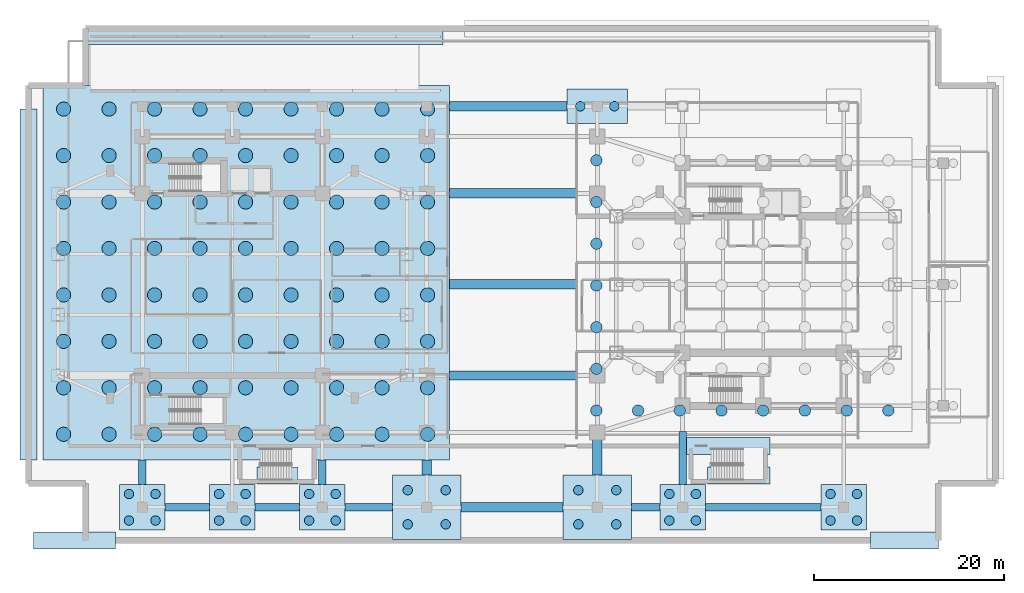
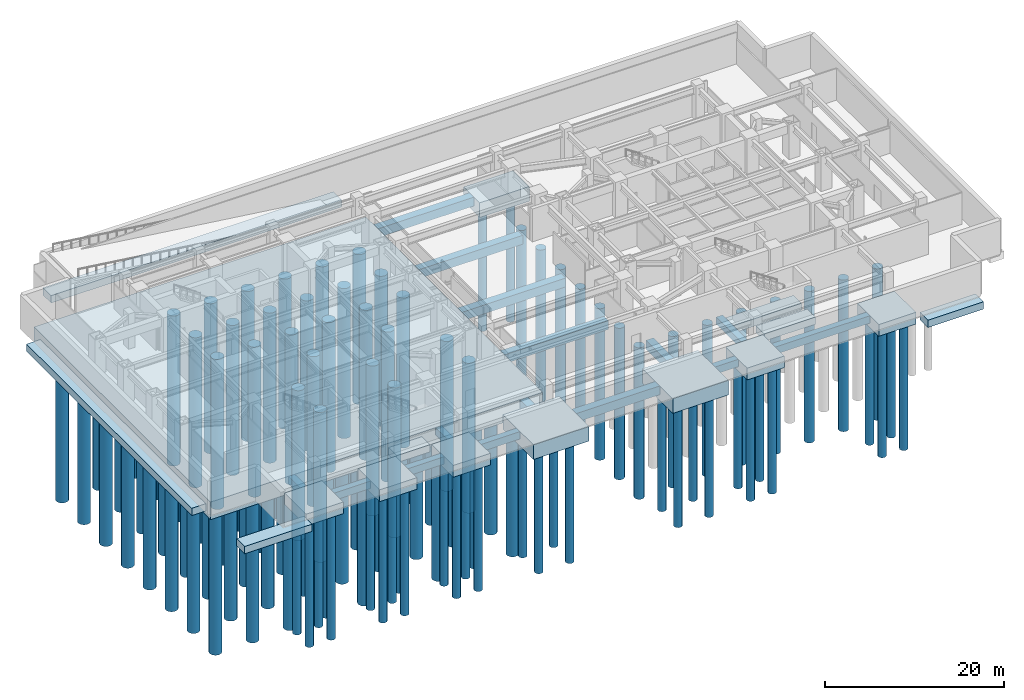
# One storey, part 1 of 16: 116 piles, 31 footings.
"""IFC4 building model written with IfcOpenShell, lengths in metres."""

from ifc_helpers import new_model, si_unit, direction, frame, origin, origin_2d, place, context, subcontext, project, spatial, polyline, circle, outline, extrude, material, material_profile, profile_set, type_object, element, save


model = new_model("IFC4")

# Units and contexts
model_context = context("Model", 3, precision=1e-05, world=origin(), true_north=direction((0.0, 1.0)))
body_context = subcontext(model_context, "Body", "Model", "MODEL_VIEW")
ifc_project = project(units=[si_unit("LENGTHUNIT", "METRE"), si_unit("AREAUNIT", "SQUARE_METRE"), si_unit("VOLUMEUNIT", "CUBIC_METRE"), si_unit("PLANEANGLEUNIT", "RADIAN"), si_unit("MASSUNIT", "GRAM", prefix="KILO")], contexts=[model_context])

# Site, building, storey
site_placement = place(None, origin())
site = spatial("IfcSite", under=ifc_project, at=site_placement, CompositionType="ELEMENT")
building_placement = place(site_placement, origin())
building = spatial("IfcBuilding", under=site, at=building_placement, Name="Mirazonda Arch Towers", CompositionType="ELEMENT")
storey_placement = place(building_placement, frame((0.0, 0.0, -4.800048828125)))
storey = spatial("IfcBuildingStorey", under=building, at=storey_placement, Name="B1", CompositionType="ELEMENT", Elevation=-4.800048828125)

# Footings
ifc_material = material(Name="Concrete C50/60", Category="concrete")
footing_type_1 = type_object("IfcFootingType", Name="FOOT-CAP-ARCH", PredefinedType="PILE_CAP", material=ifc_material)
footing_1_placement = place(storey_placement, frame((0.0, 0.0, -2.39990234375)))
element("IfcFooting", 1, at=footing_1_placement, inside=storey, type_object=footing_type_1, Name="Pile Cap ARCH-S1", PredefinedType="PILE_CAP", context=body_context, shape_type="SweptSolid", body=[
    extrude(outline(polyline([(37.39990234375, 1.10009765625), (44.60009765625, 1.10009765625), (44.60009765625, 7.89990234375), (37.39990234375, 7.89990234375), (37.39990234375, 1.10009765625)])), origin(), (0.0, 0.0, 1.0), 2.0),
])
footing_2_placement = place(storey_placement, frame((0.0, 0.0, -2.39990234375)))
element("IfcFooting", 2, at=footing_2_placement, inside=storey, type_object=footing_type_1, Name="Pile Cap ARCH-S2", PredefinedType="PILE_CAP", context=body_context, shape_type="SweptSolid", body=[
    extrude(outline(polyline([(55.39990234375, 1.10009765625), (62.60009765625, 1.10009765625), (62.60009765625, 7.89990234375), (55.39990234375, 7.89990234375), (55.39990234375, 1.10009765625)])), origin(), (0.0, 0.0, 1.0), 2.0),
])
footing_3_placement = place(storey_placement, frame((0.0, 0.0, -2.39990234375)))
element("IfcFooting", 3, at=footing_3_placement, inside=storey, type_object=footing_type_1, Name="Pile Cap ARCH-N2", PredefinedType="PILE_CAP", context=body_context, shape_type="SweptSolid", body=[
    extrude(outline(polyline([(55.800048828125, 45.0), (62.199951171875, 45.0), (62.199951171875, 48.60009765625), (55.800048828125, 48.60009765625), (55.800048828125, 45.0)])), origin(), (0.0, 0.0, 1.0), 2.0),
])
footing_type_2 = type_object("IfcFootingType", Name="FOOT-CAP-POD-A", PredefinedType="PILE_CAP", material=ifc_material)
footing_4_placement = place(storey_placement, frame((0.0, 0.0, -2.0)))
element("IfcFooting", 4, at=footing_4_placement, inside=storey, type_object=footing_type_2, Name="Pile Cap POD-S1", PredefinedType="PILE_CAP", context=body_context, shape_type="SweptSolid", body=[
    extrude(outline(polyline([(8.60009765625, 2.10009765625), (13.39990234375, 2.10009765625), (13.39990234375, 6.89990234375), (8.60009765625, 6.89990234375), (8.60009765625, 2.10009765625)])), origin(), (0.0, 0.0, 1.0), 1.60009765625),
])
footing_5_placement = place(storey_placement, frame((0.0, 0.0, -2.0)))
element("IfcFooting", 5, at=footing_5_placement, inside=storey, type_object=footing_type_2, Name="Pile Cap POD-S2", PredefinedType="PILE_CAP", context=body_context, shape_type="SweptSolid", body=[
    extrude(outline(polyline([(18.10009765625, 2.10009765625), (22.89990234375, 2.10009765625), (22.89990234375, 6.89990234375), (18.10009765625, 6.89990234375), (18.10009765625, 2.10009765625)])), origin(), (0.0, 0.0, 1.0), 1.60009765625),
])
footing_6_placement = place(storey_placement, frame((0.0, 0.0, -2.0)))
element("IfcFooting", 6, at=footing_6_placement, inside=storey, type_object=footing_type_2, Name="Pile Cap POD-S3", PredefinedType="PILE_CAP", context=body_context, shape_type="SweptSolid", body=[
    extrude(outline(polyline([(27.60009765625, 2.10009765625), (32.39990234375, 2.10009765625), (32.39990234375, 6.89990234375), (27.60009765625, 6.89990234375), (27.60009765625, 2.10009765625)])), origin(), (0.0, 0.0, 1.0), 1.60009765625),
])
footing_7_placement = place(storey_placement, frame((0.0, 0.0, -2.0)))
element("IfcFooting", 7, at=footing_7_placement, inside=storey, type_object=footing_type_2, Name="Pile Cap POD-S4", PredefinedType="PILE_CAP", context=body_context, shape_type="SweptSolid", body=[
    extrude(outline(polyline([(65.60009765625, 2.10009765625), (70.39990234375, 2.10009765625), (70.39990234375, 6.89990234375), (65.60009765625, 6.89990234375), (65.60009765625, 2.10009765625)])), origin(), (0.0, 0.0, 1.0), 1.60009765625),
])
footing_8_placement = place(storey_placement, frame((0.0, 0.0, -2.0)))
element("IfcFooting", 8, at=footing_8_placement, inside=storey, type_object=footing_type_2, Name="Pile Cap POD-S5", PredefinedType="PILE_CAP", context=body_context, shape_type="SweptSolid", body=[
    extrude(outline(polyline([(82.60009765625, 2.10009765625), (87.39990234375, 2.10009765625), (87.39990234375, 6.89990234375), (82.60009765625, 6.89990234375), (82.60009765625, 2.10009765625)])), origin(), (0.0, 0.0, 1.0), 1.60009765625),
])
footing_type_3 = type_object("IfcFootingType", Name="FOOT-RAFT-T1", PredefinedType="PILE_CAP", material=ifc_material)
footing_9_placement = place(storey_placement, frame((0.0, 0.0, -2.800048828125)))
element("IfcFooting", 9, at=footing_9_placement, inside=storey, type_object=footing_type_3, Name="Tower 1 Piled Raft Foundation", PredefinedType="PILE_CAP", context=body_context, shape_type="SweptSolid", body=[
    extrude(outline(polyline([(0.5, 9.5), (43.39990234375, 9.5), (43.39990234375, 49.0), (0.5, 49.0), (0.5, 9.5)])), origin(), (0.0, 0.0, 1.0), 2.400146484375),
])
footing_type_4 = type_object("IfcFootingType", Name="FOOT-STRIP-RET", PredefinedType="STRIP_FOOTING", material=ifc_material)
footing_10_placement = place(storey_placement, frame((0.0, 0.0, -1.39990234375)))
element("IfcFooting", 10, at=footing_10_placement, inside=storey, type_object=footing_type_4, Name="Retaining Wall Strip Footing STF-W1", PredefinedType="STRIP_FOOTING", context=body_context, shape_type="SweptSolid", body=[
    extrude(outline(polyline([(-1.89990234375, 9.5), (-0.10009765625, 9.5), (-0.10009765625, 46.5), (-1.89990234375, 46.5), (-1.89990234375, 9.5)])), origin(), (0.0, 0.0, 1.0), 1.0),
])
footing_11_placement = place(storey_placement, frame((0.0, 0.0, -1.39990234375)))
element("IfcFooting", 11, at=footing_11_placement, inside=storey, type_object=footing_type_4, Name="Retaining Wall Strip Footing STF-S1", PredefinedType="STRIP_FOOTING", context=body_context, shape_type="SweptSolid", body=[
    extrude(outline(polyline([(-0.5, 0.10009765625), (8.199951171875, 0.10009765625), (8.199951171875, 1.89990234375), (-0.5, 1.89990234375), (-0.5, 0.10009765625)])), origin(), (0.0, 0.0, 1.0), 1.0),
])
footing_12_placement = place(storey_placement, frame((0.0, 0.0, -1.39990234375)))
element("IfcFooting", 12, at=footing_12_placement, inside=storey, type_object=footing_type_4, Name="Retaining Wall Strip Footing STF-S2", PredefinedType="STRIP_FOOTING", context=body_context, shape_type="SweptSolid", body=[
    extrude(outline(polyline([(87.800048828125, 0.10009765625), (95.0, 0.10009765625), (95.0, 1.89990234375), (87.800048828125, 1.89990234375), (87.800048828125, 0.10009765625)])), origin(), (0.0, 0.0, 1.0), 1.0),
])
footing_13_placement = place(storey_placement, frame((0.0, 0.0, -1.39990234375)))
element("IfcFooting", 13, at=footing_13_placement, inside=storey, type_object=footing_type_4, Name="Retaining Wall Strip Footing STF-POD1-S", PredefinedType="STRIP_FOOTING", context=body_context, shape_type="SweptSolid", body=[
    extrude(outline(polyline([(23.10009765625, 6.949951171875), (27.39990234375, 6.949951171875), (27.39990234375, 8.75), (23.10009765625, 8.75), (23.10009765625, 6.949951171875)])), origin(), (0.0, 0.0, 1.0), 1.0),
])
footing_14_placement = place(storey_placement, frame((0.0, 0.0, -1.39990234375)))
element("IfcFooting", 14, at=footing_14_placement, inside=storey, type_object=footing_type_4, Name="Retaining Wall Strip Footing STF-POD2-S", PredefinedType="STRIP_FOOTING", context=body_context, shape_type="SweptSolid", body=[
    extrude(outline(polyline([(70.60009765625, 6.949951171875), (77.199951171875, 6.949951171875), (77.199951171875, 8.75), (70.60009765625, 8.75), (70.60009765625, 6.949951171875)])), origin(), (0.0, 0.0, 1.0), 1.0),
])
footing_15_placement = place(storey_placement, frame((0.0, 0.0, -1.39990234375)))
element("IfcFooting", 15, at=footing_15_placement, inside=storey, type_object=footing_type_4, Name="Retaining Wall Strip Footing STF-POD2-N", PredefinedType="STRIP_FOOTING", context=body_context, shape_type="SweptSolid", body=[
    extrude(outline(polyline([(68.39990234375, 10.050048828125), (77.199951171875, 10.050048828125), (77.199951171875, 11.85009765625), (68.39990234375, 11.85009765625), (68.39990234375, 10.050048828125)])), origin(), (0.0, 0.0, 1.0), 1.0),
])
footing_16_placement = place(storey_placement, frame((0.0, 0.0, -1.39990234375)))
element("IfcFooting", 16, at=footing_16_placement, inside=storey, type_object=footing_type_4, Name="Retaining Wall Strip Footing STF-VEHRMP-N", PredefinedType="STRIP_FOOTING", context=body_context, shape_type="SweptSolid", body=[
    extrude(outline(polyline([(5.199951171875, 53.300048828125), (42.699951171875, 53.300048828125), (42.699951171875, 55.10009765625), (5.199951171875, 55.10009765625), (5.199951171875, 53.300048828125)])), origin(), (0.0, 0.0, 1.0), 1.0),
])
footing_type_5 = type_object("IfcFootingType", Name="FOOT-TIE-BEAM-1000", PredefinedType="FOOTING_BEAM", material=ifc_material)
footing_17_placement = place(storey_placement, frame((0.0, 0.0, -1.599853515625)))
element("IfcFooting", 17, at=footing_17_placement, inside=storey, type_object=footing_type_5, Name="Ground Tie Beam TB-SLOT-1", PredefinedType="FOOTING_BEAM", context=body_context, shape_type="SweptSolid", body=[
    extrude(outline(polyline([(43.39990234375, 17.89990234375), (56.800048828125, 17.89990234375), (56.800048828125, 18.89990234375), (43.39990234375, 18.89990234375), (43.39990234375, 17.89990234375)])), origin(), (0.0, 0.0, 1.0), 1.199951171875),
])
footing_18_placement = place(storey_placement, frame((0.0, 0.0, -1.599853515625)))
element("IfcFooting", 18, at=footing_18_placement, inside=storey, type_object=footing_type_5, Name="Ground Tie Beam TB-SLOT-2", PredefinedType="FOOTING_BEAM", context=body_context, shape_type="SweptSolid", body=[
    extrude(outline(polyline([(43.39990234375, 27.5), (56.800048828125, 27.5), (56.800048828125, 28.5), (43.39990234375, 28.5), (43.39990234375, 27.5)])), origin(), (0.0, 0.0, 1.0), 1.199951171875),
])
footing_19_placement = place(storey_placement, frame((0.0, 0.0, -1.599853515625)))
element("IfcFooting", 19, at=footing_19_placement, inside=storey, type_object=footing_type_5, Name="Ground Tie Beam TB-SLOT-3", PredefinedType="FOOTING_BEAM", context=body_context, shape_type="SweptSolid", body=[
    extrude(outline(polyline([(43.39990234375, 37.10009765625), (56.800048828125, 37.10009765625), (56.800048828125, 38.10009765625), (43.39990234375, 38.10009765625), (43.39990234375, 37.10009765625)])), origin(), (0.0, 0.0, 1.0), 1.199951171875),
])
footing_20_placement = place(storey_placement, frame((0.0, 0.0, -1.599853515625)))
element("IfcFooting", 20, at=footing_20_placement, inside=storey, type_object=footing_type_5, Name="Ground Tie Beam TB-S-4", PredefinedType="FOOTING_BEAM", context=body_context, shape_type="SweptSolid", body=[
    extrude(outline(polyline([(44.60009765625, 4.0), (55.39990234375, 4.0), (55.39990234375, 5.0), (44.60009765625, 5.0), (44.60009765625, 4.0)])), origin(), (0.0, 0.0, 1.0), 1.199951171875),
])
footing_21_placement = place(storey_placement, frame((0.0, 0.0, -1.599853515625)))
element("IfcFooting", 21, at=footing_21_placement, inside=storey, type_object=footing_type_5, Name="Ground Tie Beam TB-CS-3", PredefinedType="FOOTING_BEAM", context=body_context, shape_type="SweptSolid", body=[
    extrude(outline(polyline([(40.5, 7.89990234375), (41.5, 7.89990234375), (41.5, 9.5), (40.5, 9.5), (40.5, 7.89990234375)])), origin(), (0.0, 0.0, 1.0), 1.199951171875),
])
footing_22_placement = place(storey_placement, frame((0.0, 0.0, -1.599853515625)))
element("IfcFooting", 22, at=footing_22_placement, inside=storey, type_object=footing_type_5, Name="Ground Tie Beam TB-CS-4", PredefinedType="FOOTING_BEAM", context=body_context, shape_type="SweptSolid", body=[
    extrude(outline(polyline([(58.5, 7.89990234375), (59.5, 7.89990234375), (59.5, 12.5), (58.5, 12.5), (58.5, 7.89990234375)])), origin(), (0.0, 0.0, 1.0), 1.199951171875),
])
footing_23_placement = place(storey_placement, frame((0.0, 0.0, -1.599853515625)))
element("IfcFooting", 23, at=footing_23_placement, inside=storey, type_object=footing_type_5, Name="Ground Tie Beam TB-N-1", PredefinedType="FOOTING_BEAM", context=body_context, shape_type="SweptSolid", body=[
    extrude(outline(polyline([(43.39990234375, 46.300048828125), (55.800048828125, 46.300048828125), (55.800048828125, 47.300048828125), (43.39990234375, 47.300048828125), (43.39990234375, 46.300048828125)])), origin(), (0.0, 0.0, 1.0), 1.199951171875),
])
footing_type_6 = type_object("IfcFootingType", Name="FOOT-TIE-BEAM-800", PredefinedType="FOOTING_BEAM", material=ifc_material)
footing_24_placement = place(storey_placement, frame((0.0, 0.0, -1.39990234375)))
element("IfcFooting", 24, at=footing_24_placement, inside=storey, type_object=footing_type_6, Name="Ground Tie Beam TB-S-1", PredefinedType="FOOTING_BEAM", context=body_context, shape_type="SweptSolid", body=[
    extrude(outline(polyline([(13.39990234375, 4.10009765625), (18.10009765625, 4.10009765625), (18.10009765625, 4.89990234375), (13.39990234375, 4.89990234375), (13.39990234375, 4.10009765625)])), origin(), (0.0, 0.0, 1.0), 1.0),
])
footing_25_placement = place(storey_placement, frame((0.0, 0.0, -1.39990234375)))
element("IfcFooting", 25, at=footing_25_placement, inside=storey, type_object=footing_type_6, Name="Ground Tie Beam TB-S-2", PredefinedType="FOOTING_BEAM", context=body_context, shape_type="SweptSolid", body=[
    extrude(outline(polyline([(22.89990234375, 4.10009765625), (27.60009765625, 4.10009765625), (27.60009765625, 4.89990234375), (22.89990234375, 4.89990234375), (22.89990234375, 4.10009765625)])), origin(), (0.0, 0.0, 1.0), 1.0),
])
footing_26_placement = place(storey_placement, frame((0.0, 0.0, -1.39990234375)))
element("IfcFooting", 26, at=footing_26_placement, inside=storey, type_object=footing_type_6, Name="Ground Tie Beam TB-S-3", PredefinedType="FOOTING_BEAM", context=body_context, shape_type="SweptSolid", body=[
    extrude(outline(polyline([(32.39990234375, 4.10009765625), (37.39990234375, 4.10009765625), (37.39990234375, 4.89990234375), (32.39990234375, 4.89990234375), (32.39990234375, 4.10009765625)])), origin(), (0.0, 0.0, 1.0), 1.0),
])
footing_27_placement = place(storey_placement, frame((0.0, 0.0, -1.39990234375)))
element("IfcFooting", 27, at=footing_27_placement, inside=storey, type_object=footing_type_6, Name="Ground Tie Beam TB-S-5", PredefinedType="FOOTING_BEAM", context=body_context, shape_type="SweptSolid", body=[
    extrude(outline(polyline([(62.60009765625, 4.10009765625), (65.60009765625, 4.10009765625), (65.60009765625, 4.89990234375), (62.60009765625, 4.89990234375), (62.60009765625, 4.10009765625)])), origin(), (0.0, 0.0, 1.0), 1.0),
])
footing_28_placement = place(storey_placement, frame((0.0, 0.0, -1.39990234375)))
element("IfcFooting", 28, at=footing_28_placement, inside=storey, type_object=footing_type_6, Name="Ground Tie Beam TB-S-6", PredefinedType="FOOTING_BEAM", context=body_context, shape_type="SweptSolid", body=[
    extrude(outline(polyline([(70.39990234375, 4.10009765625), (82.60009765625, 4.10009765625), (82.60009765625, 4.89990234375), (70.39990234375, 4.89990234375), (70.39990234375, 4.10009765625)])), origin(), (0.0, 0.0, 1.0), 1.0),
])
footing_29_placement = place(storey_placement, frame((0.0, 0.0, -1.39990234375)))
element("IfcFooting", 29, at=footing_29_placement, inside=storey, type_object=footing_type_6, Name="Ground Tie Beam TB-CS-1", PredefinedType="FOOTING_BEAM", context=body_context, shape_type="SweptSolid", body=[
    extrude(outline(polyline([(10.60009765625, 6.89990234375), (11.39990234375, 6.89990234375), (11.39990234375, 9.5), (10.60009765625, 9.5), (10.60009765625, 6.89990234375)])), origin(), (0.0, 0.0, 1.0), 1.0),
])
footing_30_placement = place(storey_placement, frame((0.0, 0.0, -1.39990234375)))
element("IfcFooting", 30, at=footing_30_placement, inside=storey, type_object=footing_type_6, Name="Ground Tie Beam TB-CS-2", PredefinedType="FOOTING_BEAM", context=body_context, shape_type="SweptSolid", body=[
    extrude(outline(polyline([(29.60009765625, 6.89990234375), (30.39990234375, 6.89990234375), (30.39990234375, 9.5), (29.60009765625, 9.5), (29.60009765625, 6.89990234375)])), origin(), (0.0, 0.0, 1.0), 1.0),
])
footing_31_placement = place(storey_placement, frame((0.0, 0.0, -1.39990234375)))
element("IfcFooting", 31, at=footing_31_placement, inside=storey, type_object=footing_type_6, Name="Ground Tie Beam TB-CS-5", PredefinedType="FOOTING_BEAM", context=body_context, shape_type="SweptSolid", body=[
    extrude(outline(polyline([(67.60009765625, 6.89990234375), (68.39990234375, 6.89990234375), (68.39990234375, 12.5), (67.60009765625, 12.5), (67.60009765625, 6.89990234375)])), origin(), (0.0, 0.0, 1.0), 1.0),
])

# Piles
ifc_material_profile_1 = material_profile(ifc_material, circle(Radius=0.5, at=origin_2d()), Name="BORED-D1000")
ifc_profile_set_1 = profile_set([ifc_material_profile_1], Name="Concrete C50/60")
pile_type_1 = type_object("IfcPileType", Name="PILE-1000", PredefinedType="BORED", material=ifc_profile_set_1)
for number, where, z_axis, x_axis, name in (
    (32, (39.0, 2.699951171875, -2.300048828125), (0.0, 0.0, -1.0), (1.0, 0.0, 0.0), "Rock-Socketed Bored Pile 001"),
    (33, (43.0, 2.699951171875, -2.300048828125), (0.0, 0.0, -1.0), (1.0, 0.0, 0.0), "Rock-Socketed Bored Pile 002"),
    (34, (39.0, 6.300048828125, -2.300048828125), (0.0, 0.0, -1.0), (1.0, 0.0, 0.0), "Rock-Socketed Bored Pile 003"),
    (35, (43.0, 6.300048828125, -2.300048828125), (0.0, 0.0, -1.0), (1.0, 0.0, 0.0), "Rock-Socketed Bored Pile 004"),
    (36, (57.0, 2.699951171875, -2.300048828125), (0.0, 0.0, -1.0), (1.0, 0.0, 0.0), "Rock-Socketed Bored Pile 005"),
    (37, (61.0, 2.699951171875, -2.300048828125), (0.0, 0.0, -1.0), (1.0, 0.0, 0.0), "Rock-Socketed Bored Pile 006"),
    (38, (57.0, 6.300048828125, -2.300048828125), (0.0, 0.0, -1.0), (1.0, 0.0, 0.0), "Rock-Socketed Bored Pile 007"),
    (39, (61.0, 6.300048828125, -2.300048828125), (0.0, 0.0, -1.0), (1.0, 0.0, 0.0), "Rock-Socketed Bored Pile 008"),
    (40, (57.199951171875, 46.800048828125, -2.300048828125), (0.0, 0.0, -1.0), (1.0, 0.0, 0.0), "Rock-Socketed Bored Pile 009"),
    (41, (60.800048828125, 46.800048828125, -2.300048828125), (0.0, 0.0, -1.0), (1.0, 0.0, 0.0), "Rock-Socketed Bored Pile 010"),
):
    element("IfcPile", number, at=place(storey_placement, frame(where, z_axis=z_axis, x_axis=x_axis)), inside=storey, type_object=pile_type_1, Name=name, PredefinedType="BORED", context=body_context, shape_type="SweptSolid", body=[
        extrude(circle(Radius=0.5, at=origin_2d()), origin(), (0.0, 0.0, 1.0), 16.89990234375),
    ])
for number, where, z_axis, x_axis, name in (
    (42, (9.60009765625, 3.10009765625, -1.89990234375), (0.0, 0.0, -1.0), (1.0, 0.0, 0.0), "Rock-Socketed Bored Pile 011"),
    (43, (12.39990234375, 3.10009765625, -1.89990234375), (0.0, 0.0, -1.0), (1.0, 0.0, 0.0), "Rock-Socketed Bored Pile 012"),
    (44, (9.60009765625, 5.89990234375, -1.89990234375), (0.0, 0.0, -1.0), (1.0, 0.0, 0.0), "Rock-Socketed Bored Pile 013"),
    (45, (12.39990234375, 5.89990234375, -1.89990234375), (0.0, 0.0, -1.0), (1.0, 0.0, 0.0), "Rock-Socketed Bored Pile 014"),
    (46, (19.10009765625, 3.10009765625, -1.89990234375), (0.0, 0.0, -1.0), (1.0, 0.0, 0.0), "Rock-Socketed Bored Pile 015"),
    (47, (21.89990234375, 3.10009765625, -1.89990234375), (0.0, 0.0, -1.0), (1.0, 0.0, 0.0), "Rock-Socketed Bored Pile 016"),
    (48, (19.10009765625, 5.89990234375, -1.89990234375), (0.0, 0.0, -1.0), (1.0, 0.0, 0.0), "Rock-Socketed Bored Pile 017"),
    (49, (21.89990234375, 5.89990234375, -1.89990234375), (0.0, 0.0, -1.0), (1.0, 0.0, 0.0), "Rock-Socketed Bored Pile 018"),
    (50, (28.60009765625, 3.10009765625, -1.89990234375), (0.0, 0.0, -1.0), (1.0, 0.0, 0.0), "Rock-Socketed Bored Pile 019"),
    (51, (31.39990234375, 3.10009765625, -1.89990234375), (0.0, 0.0, -1.0), (1.0, 0.0, 0.0), "Rock-Socketed Bored Pile 020"),
    (52, (28.60009765625, 5.89990234375, -1.89990234375), (0.0, 0.0, -1.0), (1.0, 0.0, 0.0), "Rock-Socketed Bored Pile 021"),
    (53, (31.39990234375, 5.89990234375, -1.89990234375), (0.0, 0.0, -1.0), (1.0, 0.0, 0.0), "Rock-Socketed Bored Pile 022"),
    (54, (66.60009765625, 3.10009765625, -1.89990234375), (0.0, 0.0, -1.0), (1.0, 0.0, 0.0), "Rock-Socketed Bored Pile 023"),
    (55, (69.39990234375, 3.10009765625, -1.89990234375), (0.0, 0.0, -1.0), (1.0, 0.0, 0.0), "Rock-Socketed Bored Pile 024"),
    (56, (66.60009765625, 5.89990234375, -1.89990234375), (0.0, 0.0, -1.0), (1.0, 0.0, 0.0), "Rock-Socketed Bored Pile 025"),
    (57, (69.39990234375, 5.89990234375, -1.89990234375), (0.0, 0.0, -1.0), (1.0, 0.0, 0.0), "Rock-Socketed Bored Pile 026"),
    (58, (83.60009765625, 3.10009765625, -1.89990234375), (0.0, 0.0, -1.0), (1.0, 0.0, 0.0), "Rock-Socketed Bored Pile 027"),
    (59, (86.39990234375, 3.10009765625, -1.89990234375), (0.0, 0.0, -1.0), (1.0, 0.0, 0.0), "Rock-Socketed Bored Pile 028"),
    (60, (83.60009765625, 5.89990234375, -1.89990234375), (0.0, 0.0, -1.0), (1.0, 0.0, 0.0), "Rock-Socketed Bored Pile 029"),
    (61, (86.39990234375, 5.89990234375, -1.89990234375), (0.0, 0.0, -1.0), (1.0, 0.0, 0.0), "Rock-Socketed Bored Pile 030"),
):
    element("IfcPile", number, at=place(storey_placement, frame(where, z_axis=z_axis, x_axis=x_axis)), inside=storey, type_object=pile_type_1, Name=name, PredefinedType="BORED", context=body_context, shape_type="SweptSolid", body=[
        extrude(circle(Radius=0.5, at=origin_2d()), origin(), (0.0, 0.0, 1.0), 17.300048828125),
    ])
ifc_material_profile_2 = material_profile(ifc_material, circle(Radius=0.60009765625, at=origin_2d()), Name="BORED-D1200")
ifc_profile_set_2 = profile_set([ifc_material_profile_2], Name="Concrete C50/60")
pile_type_2 = type_object("IfcPileType", Name="PILE-1200", PredefinedType="BORED", material=ifc_profile_set_2)
for number, where, z_axis, x_axis, name in (
    (62, (58.89990234375, 14.699951171875, -2.5), (0.0, 0.0, -1.0), (1.0, 0.0, 0.0), "Tower 2 Raft Bored Pile 1-1"),
    (63, (58.89990234375, 19.10009765625, -2.5), (0.0, 0.0, -1.0), (1.0, 0.0, 0.0), "Tower 2 Raft Bored Pile 1-2"),
    (64, (58.89990234375, 23.5, -2.5), (0.0, 0.0, -1.0), (1.0, 0.0, 0.0), "Tower 2 Raft Bored Pile 1-3"),
    (65, (58.89990234375, 27.89990234375, -2.5), (0.0, 0.0, -1.0), (1.0, 0.0, 0.0), "Tower 2 Raft Bored Pile 1-4"),
    (66, (58.89990234375, 32.300048828125, -2.5), (0.0, 0.0, -1.0), (1.0, 0.0, 0.0), "Tower 2 Raft Bored Pile 1-5"),
    (67, (58.89990234375, 36.699951171875, -2.5), (0.0, 0.0, -1.0), (1.0, 0.0, 0.0), "Tower 2 Raft Bored Pile 1-6"),
    (68, (58.89990234375, 41.10009765625, -2.5), (0.0, 0.0, -1.0), (1.0, 0.0, 0.0), "Tower 2 Raft Bored Pile 1-7"),
    (69, (63.300048828125, 14.699951171875, -2.5), (0.0, 0.0, -1.0), (1.0, 0.0, 0.0), "Tower 2 Raft Bored Pile 2-1"),
    (70, (67.699951171875, 14.699951171875, -2.5), (0.0, 0.0, -1.0), (1.0, 0.0, 0.0), "Tower 2 Raft Bored Pile 3-1"),
    (71, (72.10009765625, 14.699951171875, -2.5), (0.0, 0.0, -1.0), (1.0, 0.0, 0.0), "Tower 2 Raft Bored Pile 4-1"),
    (72, (76.5, 14.699951171875, -2.5), (0.0, 0.0, -1.0), (1.0, 0.0, 0.0), "Tower 2 Raft Bored Pile 5-1"),
    (73, (80.89990234375, 14.699951171875, -2.5), (0.0, 0.0, -1.0), (1.0, 0.0, 0.0), "Tower 2 Raft Bored Pile 6-1"),
    (74, (85.300048828125, 14.699951171875, -2.5), (0.0, 0.0, -1.0), (1.0, 0.0, 0.0), "Tower 2 Raft Bored Pile 7-1"),
    (75, (89.699951171875, 14.699951171875, -2.5), (0.0, 0.0, -1.0), (1.0, 0.0, 0.0), "Tower 2 Raft Bored Pile 8-1"),
):
    element("IfcPile", number, at=place(storey_placement, frame(where, z_axis=z_axis, x_axis=x_axis)), inside=storey, type_object=pile_type_2, Name=name, PredefinedType="BORED", context=body_context, shape_type="SweptSolid", body=[
        extrude(circle(Radius=0.60009765625, at=origin_2d()), origin(), (0.0, 0.0, 1.0), 20.699951171875),
    ])
ifc_material_profile_3 = material_profile(ifc_material, circle(Radius=0.75, at=origin_2d()), Name="BORED-D1500")
ifc_profile_set_3 = profile_set([ifc_material_profile_3], Name="Concrete C50/60")
pile_type_3 = type_object("IfcPileType", Name="PILE-1500", PredefinedType="BORED", material=ifc_profile_set_3)
for number, where, z_axis, x_axis, name in (
    (76, (2.699951171875, 12.199951171875, -2.699951171875), (0.0, 0.0, -1.0), (1.0, 0.0, 0.0), "Tower 1 Raft Bored Pile 1-1"),
    (77, (2.699951171875, 17.10009765625, -2.699951171875), (0.0, 0.0, -1.0), (1.0, 0.0, 0.0), "Tower 1 Raft Bored Pile 1-2"),
    (78, (2.699951171875, 22.0, -2.699951171875), (0.0, 0.0, -1.0), (1.0, 0.0, 0.0), "Tower 1 Raft Bored Pile 1-3"),
    (79, (2.699951171875, 26.89990234375, -2.699951171875), (0.0, 0.0, -1.0), (1.0, 0.0, 0.0), "Tower 1 Raft Bored Pile 1-4"),
    (80, (2.699951171875, 31.800048828125, -2.699951171875), (0.0, 0.0, -1.0), (1.0, 0.0, 0.0), "Tower 1 Raft Bored Pile 1-5"),
    (81, (2.699951171875, 36.699951171875, -2.699951171875), (0.0, 0.0, -1.0), (1.0, 0.0, 0.0), "Tower 1 Raft Bored Pile 1-6"),
    (82, (2.699951171875, 41.60009765625, -2.699951171875), (0.0, 0.0, -1.0), (1.0, 0.0, 0.0), "Tower 1 Raft Bored Pile 1-7"),
    (83, (2.699951171875, 46.5, -2.699951171875), (0.0, 0.0, -1.0), (1.0, 0.0, 0.0), "Tower 1 Raft Bored Pile 1-8"),
    (84, (7.5, 12.199951171875, -2.699951171875), (0.0, 0.0, -1.0), (1.0, 0.0, 0.0), "Tower 1 Raft Bored Pile 2-1"),
    (85, (7.5, 17.10009765625, -2.699951171875), (0.0, 0.0, -1.0), (1.0, 0.0, 0.0), "Tower 1 Raft Bored Pile 2-2"),
    (86, (7.5, 22.0, -2.699951171875), (0.0, 0.0, -1.0), (1.0, 0.0, 0.0), "Tower 1 Raft Bored Pile 2-3"),
    (87, (7.5, 26.89990234375, -2.699951171875), (0.0, 0.0, -1.0), (1.0, 0.0, 0.0), "Tower 1 Raft Bored Pile 2-4"),
    (88, (7.5, 31.800048828125, -2.699951171875), (0.0, 0.0, -1.0), (1.0, 0.0, 0.0), "Tower 1 Raft Bored Pile 2-5"),
    (89, (7.5, 36.699951171875, -2.699951171875), (0.0, 0.0, -1.0), (1.0, 0.0, 0.0), "Tower 1 Raft Bored Pile 2-6"),
    (90, (7.5, 41.60009765625, -2.699951171875), (0.0, 0.0, -1.0), (1.0, 0.0, 0.0), "Tower 1 Raft Bored Pile 2-7"),
    (91, (7.5, 46.5, -2.699951171875), (0.0, 0.0, -1.0), (1.0, 0.0, 0.0), "Tower 1 Raft Bored Pile 2-8"),
    (92, (12.300048828125, 12.199951171875, -2.699951171875), (0.0, 0.0, -1.0), (1.0, 0.0, 0.0), "Tower 1 Raft Bored Pile 3-1"),
    (93, (12.300048828125, 17.10009765625, -2.699951171875), (0.0, 0.0, -1.0), (1.0, 0.0, 0.0), "Tower 1 Raft Bored Pile 3-2"),
    (94, (12.300048828125, 22.0, -2.699951171875), (0.0, 0.0, -1.0), (1.0, 0.0, 0.0), "Tower 1 Raft Bored Pile 3-3"),
    (95, (12.300048828125, 26.89990234375, -2.699951171875), (0.0, 0.0, -1.0), (1.0, 0.0, 0.0), "Tower 1 Raft Bored Pile 3-4"),
    (96, (12.300048828125, 31.800048828125, -2.699951171875), (0.0, 0.0, -1.0), (1.0, 0.0, 0.0), "Tower 1 Raft Bored Pile 3-5"),
    (97, (12.300048828125, 36.699951171875, -2.699951171875), (0.0, 0.0, -1.0), (1.0, 0.0, 0.0), "Tower 1 Raft Bored Pile 3-6"),
    (98, (12.300048828125, 41.60009765625, -2.699951171875), (0.0, 0.0, -1.0), (1.0, 0.0, 0.0), "Tower 1 Raft Bored Pile 3-7"),
    (99, (12.300048828125, 46.5, -2.699951171875), (0.0, 0.0, -1.0), (1.0, 0.0, 0.0), "Tower 1 Raft Bored Pile 3-8"),
    (100, (17.10009765625, 12.199951171875, -2.699951171875), (0.0, 0.0, -1.0), (1.0, 0.0, 0.0), "Tower 1 Raft Bored Pile 4-1"),
    (101, (17.10009765625, 17.10009765625, -2.699951171875), (0.0, 0.0, -1.0), (1.0, 0.0, 0.0), "Tower 1 Raft Bored Pile 4-2"),
    (102, (17.10009765625, 22.0, -2.699951171875), (0.0, 0.0, -1.0), (1.0, 0.0, 0.0), "Tower 1 Raft Bored Pile 4-3"),
    (103, (17.10009765625, 26.89990234375, -2.699951171875), (0.0, 0.0, -1.0), (1.0, 0.0, 0.0), "Tower 1 Raft Bored Pile 4-4"),
    (104, (17.10009765625, 31.800048828125, -2.699951171875), (0.0, 0.0, -1.0), (1.0, 0.0, 0.0), "Tower 1 Raft Bored Pile 4-5"),
    (105, (17.10009765625, 36.699951171875, -2.699951171875), (0.0, 0.0, -1.0), (1.0, 0.0, 0.0), "Tower 1 Raft Bored Pile 4-6"),
    (106, (17.10009765625, 41.60009765625, -2.699951171875), (0.0, 0.0, -1.0), (1.0, 0.0, 0.0), "Tower 1 Raft Bored Pile 4-7"),
    (107, (17.10009765625, 46.5, -2.699951171875), (0.0, 0.0, -1.0), (1.0, 0.0, 0.0), "Tower 1 Raft Bored Pile 4-8"),
    (108, (21.89990234375, 12.199951171875, -2.699951171875), (0.0, 0.0, -1.0), (1.0, 0.0, 0.0), "Tower 1 Raft Bored Pile 5-1"),
    (109, (21.89990234375, 17.10009765625, -2.699951171875), (0.0, 0.0, -1.0), (1.0, 0.0, 0.0), "Tower 1 Raft Bored Pile 5-2"),
    (110, (21.89990234375, 22.0, -2.699951171875), (0.0, 0.0, -1.0), (1.0, 0.0, 0.0), "Tower 1 Raft Bored Pile 5-3"),
    (111, (21.89990234375, 26.89990234375, -2.699951171875), (0.0, 0.0, -1.0), (1.0, 0.0, 0.0), "Tower 1 Raft Bored Pile 5-4"),
    (112, (21.89990234375, 31.800048828125, -2.699951171875), (0.0, 0.0, -1.0), (1.0, 0.0, 0.0), "Tower 1 Raft Bored Pile 5-5"),
    (113, (21.89990234375, 36.699951171875, -2.699951171875), (0.0, 0.0, -1.0), (1.0, 0.0, 0.0), "Tower 1 Raft Bored Pile 5-6"),
    (114, (21.89990234375, 41.60009765625, -2.699951171875), (0.0, 0.0, -1.0), (1.0, 0.0, 0.0), "Tower 1 Raft Bored Pile 5-7"),
    (115, (21.89990234375, 46.5, -2.699951171875), (0.0, 0.0, -1.0), (1.0, 0.0, 0.0), "Tower 1 Raft Bored Pile 5-8"),
    (116, (26.699951171875, 12.199951171875, -2.699951171875), (0.0, 0.0, -1.0), (1.0, 0.0, 0.0), "Tower 1 Raft Bored Pile 6-1"),
    (117, (26.699951171875, 17.10009765625, -2.699951171875), (0.0, 0.0, -1.0), (1.0, 0.0, 0.0), "Tower 1 Raft Bored Pile 6-2"),
    (118, (26.699951171875, 22.0, -2.699951171875), (0.0, 0.0, -1.0), (1.0, 0.0, 0.0), "Tower 1 Raft Bored Pile 6-3"),
    (119, (26.699951171875, 26.89990234375, -2.699951171875), (0.0, 0.0, -1.0), (1.0, 0.0, 0.0), "Tower 1 Raft Bored Pile 6-4"),
    (120, (26.699951171875, 31.800048828125, -2.699951171875), (0.0, 0.0, -1.0), (1.0, 0.0, 0.0), "Tower 1 Raft Bored Pile 6-5"),
    (121, (26.699951171875, 36.699951171875, -2.699951171875), (0.0, 0.0, -1.0), (1.0, 0.0, 0.0), "Tower 1 Raft Bored Pile 6-6"),
    (122, (26.699951171875, 41.60009765625, -2.699951171875), (0.0, 0.0, -1.0), (1.0, 0.0, 0.0), "Tower 1 Raft Bored Pile 6-7"),
    (123, (26.699951171875, 46.5, -2.699951171875), (0.0, 0.0, -1.0), (1.0, 0.0, 0.0), "Tower 1 Raft Bored Pile 6-8"),
    (124, (31.5, 12.199951171875, -2.699951171875), (0.0, 0.0, -1.0), (1.0, 0.0, 0.0), "Tower 1 Raft Bored Pile 7-1"),
    (125, (31.5, 17.10009765625, -2.699951171875), (0.0, 0.0, -1.0), (1.0, 0.0, 0.0), "Tower 1 Raft Bored Pile 7-2"),
    (126, (31.5, 22.0, -2.699951171875), (0.0, 0.0, -1.0), (1.0, 0.0, 0.0), "Tower 1 Raft Bored Pile 7-3"),
    (127, (31.5, 26.89990234375, -2.699951171875), (0.0, 0.0, -1.0), (1.0, 0.0, 0.0), "Tower 1 Raft Bored Pile 7-4"),
    (128, (31.5, 31.800048828125, -2.699951171875), (0.0, 0.0, -1.0), (1.0, 0.0, 0.0), "Tower 1 Raft Bored Pile 7-5"),
    (129, (31.5, 36.699951171875, -2.699951171875), (0.0, 0.0, -1.0), (1.0, 0.0, 0.0), "Tower 1 Raft Bored Pile 7-6"),
    (130, (31.5, 41.60009765625, -2.699951171875), (0.0, 0.0, -1.0), (1.0, 0.0, 0.0), "Tower 1 Raft Bored Pile 7-7"),
    (131, (31.5, 46.5, -2.699951171875), (0.0, 0.0, -1.0), (1.0, 0.0, 0.0), "Tower 1 Raft Bored Pile 7-8"),
    (132, (36.300048828125, 12.199951171875, -2.699951171875), (0.0, 0.0, -1.0), (1.0, 0.0, 0.0), "Tower 1 Raft Bored Pile 8-1"),
    (133, (36.300048828125, 17.10009765625, -2.699951171875), (0.0, 0.0, -1.0), (1.0, 0.0, 0.0), "Tower 1 Raft Bored Pile 8-2"),
    (134, (36.300048828125, 22.0, -2.699951171875), (0.0, 0.0, -1.0), (1.0, 0.0, 0.0), "Tower 1 Raft Bored Pile 8-3"),
    (135, (36.300048828125, 26.89990234375, -2.699951171875), (0.0, 0.0, -1.0), (1.0, 0.0, 0.0), "Tower 1 Raft Bored Pile 8-4"),
    (136, (36.300048828125, 31.800048828125, -2.699951171875), (0.0, 0.0, -1.0), (1.0, 0.0, 0.0), "Tower 1 Raft Bored Pile 8-5"),
    (137, (36.300048828125, 36.699951171875, -2.699951171875), (0.0, 0.0, -1.0), (1.0, 0.0, 0.0), "Tower 1 Raft Bored Pile 8-6"),
    (138, (36.300048828125, 41.60009765625, -2.699951171875), (0.0, 0.0, -1.0), (1.0, 0.0, 0.0), "Tower 1 Raft Bored Pile 8-7"),
    (139, (36.300048828125, 46.5, -2.699951171875), (0.0, 0.0, -1.0), (1.0, 0.0, 0.0), "Tower 1 Raft Bored Pile 8-8"),
    (140, (41.10009765625, 12.199951171875, -2.699951171875), (0.0, 0.0, -1.0), (1.0, 0.0, 0.0), "Tower 1 Raft Bored Pile 9-1"),
    (141, (41.10009765625, 17.10009765625, -2.699951171875), (0.0, 0.0, -1.0), (1.0, 0.0, 0.0), "Tower 1 Raft Bored Pile 9-2"),
    (142, (41.10009765625, 22.0, -2.699951171875), (0.0, 0.0, -1.0), (1.0, 0.0, 0.0), "Tower 1 Raft Bored Pile 9-3"),
    (143, (41.10009765625, 26.89990234375, -2.699951171875), (0.0, 0.0, -1.0), (1.0, 0.0, 0.0), "Tower 1 Raft Bored Pile 9-4"),
    (144, (41.10009765625, 31.800048828125, -2.699951171875), (0.0, 0.0, -1.0), (1.0, 0.0, 0.0), "Tower 1 Raft Bored Pile 9-5"),
    (145, (41.10009765625, 36.699951171875, -2.699951171875), (0.0, 0.0, -1.0), (1.0, 0.0, 0.0), "Tower 1 Raft Bored Pile 9-6"),
    (146, (41.10009765625, 41.60009765625, -2.699951171875), (0.0, 0.0, -1.0), (1.0, 0.0, 0.0), "Tower 1 Raft Bored Pile 9-7"),
    (147, (41.10009765625, 46.5, -2.699951171875), (0.0, 0.0, -1.0), (1.0, 0.0, 0.0), "Tower 1 Raft Bored Pile 9-8"),
):
    element("IfcPile", number, at=place(storey_placement, frame(where, z_axis=z_axis, x_axis=x_axis)), inside=storey, type_object=pile_type_3, Name=name, PredefinedType="BORED", context=body_context, shape_type="SweptSolid", body=[
        extrude(circle(Radius=0.75, at=origin_2d()), origin(), (0.0, 0.0, 1.0), 20.5),
    ])

save(model, "model.ifc")
